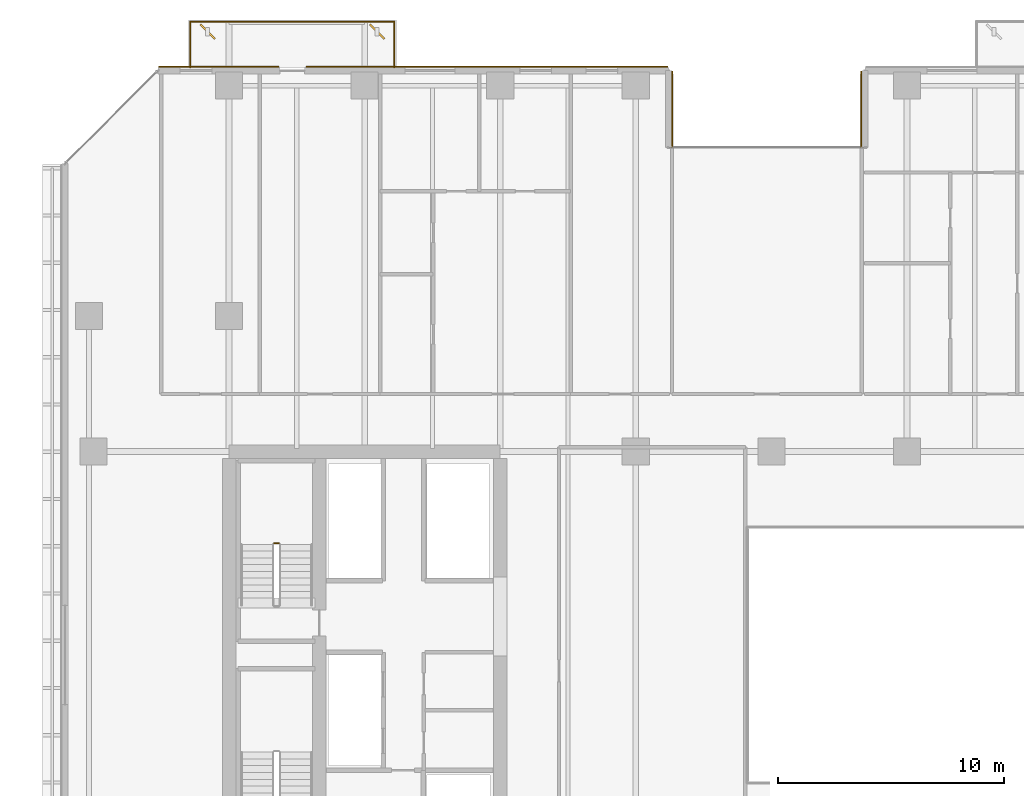
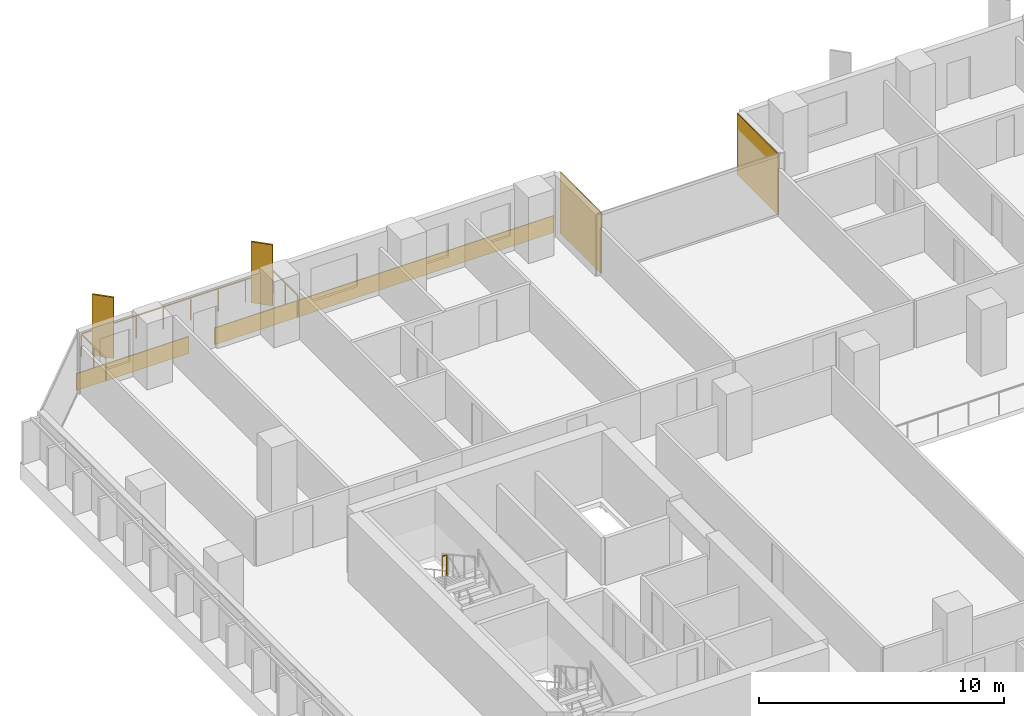
# One storey, part 29 of 33: 4 coverings, 2 railings, 2 shading devices.
"""IFC4 building model written with IfcOpenShell, lengths in metres."""

from ifc_helpers import new_model, si_unit, direction, frame, origin, origin_2d, place, context, subcontext, project, spatial, rectangle, extrude, material, layer, layer_set, type_object, element, save


model = new_model("IFC4")

# Units and contexts
model_context = context("Model", 3, precision=1e-05, world=origin(), true_north=direction((0.0, 1.0)))
body_context = subcontext(model_context, "Body", "Model", "MODEL_VIEW")
ifc_project = project(units=[si_unit("LENGTHUNIT", "METRE"), si_unit("AREAUNIT", "SQUARE_METRE"), si_unit("VOLUMEUNIT", "CUBIC_METRE"), si_unit("PLANEANGLEUNIT", "RADIAN"), si_unit("MASSUNIT", "GRAM", prefix="KILO")], contexts=[model_context])

# Site, building, storey
site_placement = place(None, origin())
site = spatial("IfcSite", under=ifc_project, at=site_placement, CompositionType="ELEMENT")
building_placement = place(site_placement, origin())
building = spatial("IfcBuilding", under=site, at=building_placement, Name="Tanjung Sevakor Pilgrim Tower", CompositionType="ELEMENT")
storey_placement = place(building_placement, frame((0.0, 0.0, 35.639892578125)))
storey = spatial("IfcBuildingStorey", under=building, at=storey_placement, Name="L09", CompositionType="ELEMENT", Elevation=35.639892578125)

# Coverings
ifc_material_1 = material(Name="Reconstructed Limestone Cladding", Category="masonry")
ifc_layer = layer(ifc_material_1, 0.044921875)
ifc_layer_set = layer_set([ifc_layer], Name="COV-CLAD-LIMESTONE")
covering_type = type_object("IfcCoveringType", Name="COV-CLAD-LIMESTONE", PredefinedType="CLADDING", material=ifc_layer_set)
for number, where, z_axis, x_axis, name in (
    (1, (51.9775390625, 57.760009765625, 0.02001953125), (0.0, 0.0, 1.0), (0.0, -1.0, 0.0), "L09 Warm Limestone Wall Cladding EW-L09-MAIN-10"),
    (2, (43.62255859375, 57.760009765625, 0.02001953125), (0.0, 0.0, 1.0), (0.0, 1.0, 0.0), "L09 Warm Limestone Wall Cladding EW-L09-MAIN-12"),
):
    element("IfcCovering", number, at=place(storey_placement, frame(where, z_axis=z_axis, x_axis=x_axis)), inside=storey, type_object=covering_type, Name=name, PredefinedType="CLADDING", context=body_context, shape_type="SweptSolid", body=[
        extrude(rectangle(XDim=3.360107421875, YDim=0.044921875, at=origin_2d()), origin(), (0.0, 0.0, 1.0), 3.0400390625),
    ])
covering_1_placement = place(storey_placement, frame((35.4150390625, 59.62255859375, 0.01025390625), z_axis=(0.0, 0.0, 1.0), x_axis=(-1.0, 0.0, 0.0)))
element("IfcCovering", 3, at=covering_1_placement, inside=storey, type_object=covering_type, Name="L09 Warm Limestone Sill Spandrel EW-L09-MAIN-13-1", PredefinedType="CLADDING", context=body_context, shape_type="SweptSolid", body=[
    extrude(rectangle(XDim=16.010009765625, YDim=0.044921875, at=origin_2d()), origin(), (0.0, 0.0, 1.0), 0.840087890625),
])
covering_2_placement = place(storey_placement, frame((23.5439453125, 59.62255859375, 0.01025390625), z_axis=(0.0, 0.0, 1.0), x_axis=(-1.0, 0.0, 0.0)))
element("IfcCovering", 4, at=covering_2_placement, inside=storey, type_object=covering_type, Name="L09 Warm Limestone Sill Spandrel EW-L09-MAIN-13-2", PredefinedType="CLADDING", context=body_context, shape_type="SweptSolid", body=[
    extrude(rectangle(XDim=5.2919921875, YDim=0.044921875, at=origin_2d()), origin(), (0.0, 0.0, 1.0), 0.840087890625),
])

# Railings
ifc_material_2 = material(Name="Laminated Glass and Aluminium", Category="aluminium")
railing_type_1 = type_object("IfcRailingType", Name="RL-BAL-BALUST", PredefinedType="BALUSTRADE", material=ifc_material_2)
railing_1_placement = place(storey_placement, frame((22.280029296875, 59.60009765625, 0.0)))
element("IfcRailing", 5, at=railing_1_placement, inside=storey, type_object=railing_type_1, Name="L09 Loggia Balustrade MAIN-N1", PredefinedType="BALUSTRADE", context=body_context, shape_type="SweptSolid", body=[
    extrude(rectangle(XDim=0.0479, YDim=0.0479), frame((0.0, 0.0, 1.1259765625), z_axis=(0.0, 1.0, 0.0), x_axis=(-1.0, 0.0, 0.0)), (0.0, 0.0, 1.0), 2.02001953125),
    extrude(rectangle(XDim=0.0479, YDim=0.0479), frame((0.0, 2.02001953125, 1.1259765625), z_axis=(1.0, 0.0, 0.0), x_axis=(0.0, 1.0, 0.0)), (0.0, 0.0, 1.0), 9.0400390625),
    extrude(rectangle(XDim=0.0479, YDim=0.0479), frame((9.0400390625, 2.02001953125, 1.1259765625), z_axis=(0.0, -1.0, 0.0), x_axis=(1.0, 0.0, 0.0)), (0.0, 0.0, 1.0), 2.02001953125),
    extrude(rectangle(XDim=0.042, YDim=0.042), origin(), (0.0, 0.0, 1.0), 1.101806640625),
    extrude(rectangle(XDim=0.042, YDim=0.042), frame((0.0, 1.010009765625, 0.0)), (0.0, 0.0, 1.0), 1.101806640625),
    extrude(rectangle(XDim=0.042, YDim=0.042), frame((0.0, 2.02001953125, 0.0)), (0.0, 0.0, 1.0), 1.101806640625),
    extrude(rectangle(XDim=0.042, YDim=0.042), frame((1.29150390625, 2.02001953125, 0.0)), (0.0, 0.0, 1.0), 1.101806640625),
    extrude(rectangle(XDim=0.042, YDim=0.042), frame((2.582763671875, 2.02001953125, 0.0)), (0.0, 0.0, 1.0), 1.101806640625),
    extrude(rectangle(XDim=0.042, YDim=0.042), frame((3.874267578125, 2.02001953125, 0.0)), (0.0, 0.0, 1.0), 1.101806640625),
    extrude(rectangle(XDim=0.042, YDim=0.042), frame((5.165771484375, 2.02001953125, 0.0)), (0.0, 0.0, 1.0), 1.101806640625),
    extrude(rectangle(XDim=0.042, YDim=0.042), frame((6.457275390625, 2.02001953125, 0.0)), (0.0, 0.0, 1.0), 1.101806640625),
    extrude(rectangle(XDim=0.042, YDim=0.042), frame((7.74853515625, 2.02001953125, 0.0)), (0.0, 0.0, 1.0), 1.101806640625),
    extrude(rectangle(XDim=0.042, YDim=0.042), frame((9.0400390625, 2.02001953125, 0.0)), (0.0, 0.0, 1.0), 1.101806640625),
    extrude(rectangle(XDim=0.042, YDim=0.042), frame((9.0400390625, 1.010009765625, 0.0)), (0.0, 0.0, 1.0), 1.101806640625),
    extrude(rectangle(XDim=0.042, YDim=0.042), frame((9.0400390625, 0.0, 0.0)), (0.0, 0.0, 1.0), 1.101806640625),
])
ifc_material_3 = material(Name="Steel S355J2", Category="steel")
railing_type_2 = type_object("IfcRailingType", Name="RL-STAIR-GUARD", PredefinedType="GUARDRAIL", material=ifc_material_3)
railing_2_placement = place(storey_placement, frame((26.199951171875, 38.550048828125, 1.650146484375)))
element("IfcRailing", 6, at=railing_2_placement, inside=storey, type_object=railing_type_2, Name="L09 TS-W2 stair guard 2", PredefinedType="GUARDRAIL", context=body_context, shape_type="SweptSolid", body=[
    extrude(rectangle(XDim=0.0479, YDim=0.0479), frame((0.0, 0.0, 1.076171875), z_axis=(-1.0, 0.0, 0.0), x_axis=(0.0, -1.0, 0.0)), (0.0, 0.0, 1.0), 0.199951171875),
    extrude(rectangle(XDim=0.042, YDim=0.042), origin(), (0.0, 0.0, 1.0), 1.052001953125),
    extrude(rectangle(XDim=0.042, YDim=0.042), frame((-0.199951171875, 0.0, 0.0)), (0.0, 0.0, 1.0), 1.052001953125),
])

# Shading devices
ifc_material_4 = material(Name="Anodised Bronze Aluminium 6063-T6", Category="aluminium")
shading_device_type = type_object("IfcShadingDeviceType", Name="SHD-FIN-900A", PredefinedType="USERDEFINED", material=ifc_material_4)
for number, where, z_axis, x_axis, name in (
    (7, (23.050048828125, 61.179931640625, 0.0), (0.0, 0.0, 1.0), (0.707106781187, 0.707106781187, 0.0), "L09 Anodised Bronze Solar Fin 0003"),
    (8, (30.550048828125, 61.179931640625, 0.0), (0.0, 0.0, 1.0), (0.707106781187, 0.707106781187, 0.0), "L09 Anodised Bronze Solar Fin 0004"),
):
    element("IfcShadingDevice", number, at=place(storey_placement, frame(where, z_axis=z_axis, x_axis=x_axis)), inside=storey, type_object=shading_device_type, Name=name, ObjectType="FIN", PredefinedType="USERDEFINED", context=body_context, shape_type="SweptSolid", body=[
        extrude(rectangle(XDim=0.080078125, YDim=0.89990234375, at=origin_2d()), origin(), (0.0, 0.0, 1.0), 3.0400390625),
    ])

save(model, "model.ifc")
